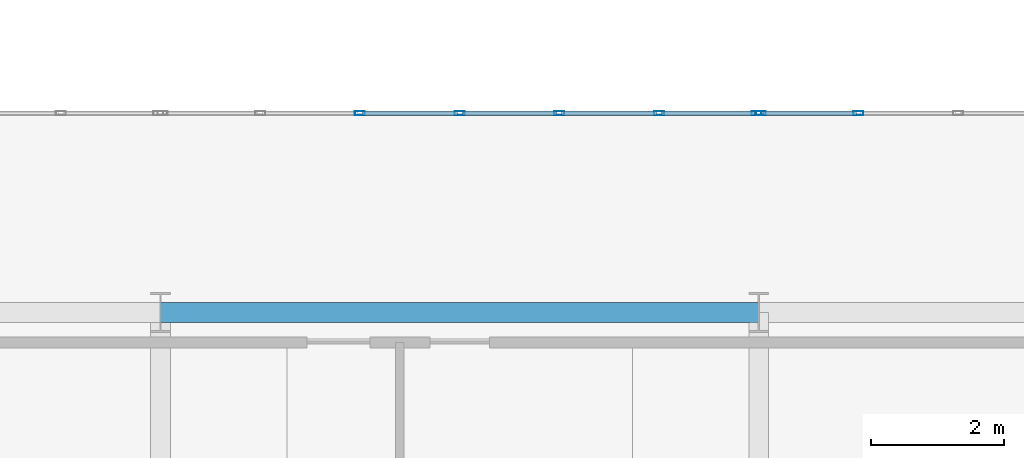
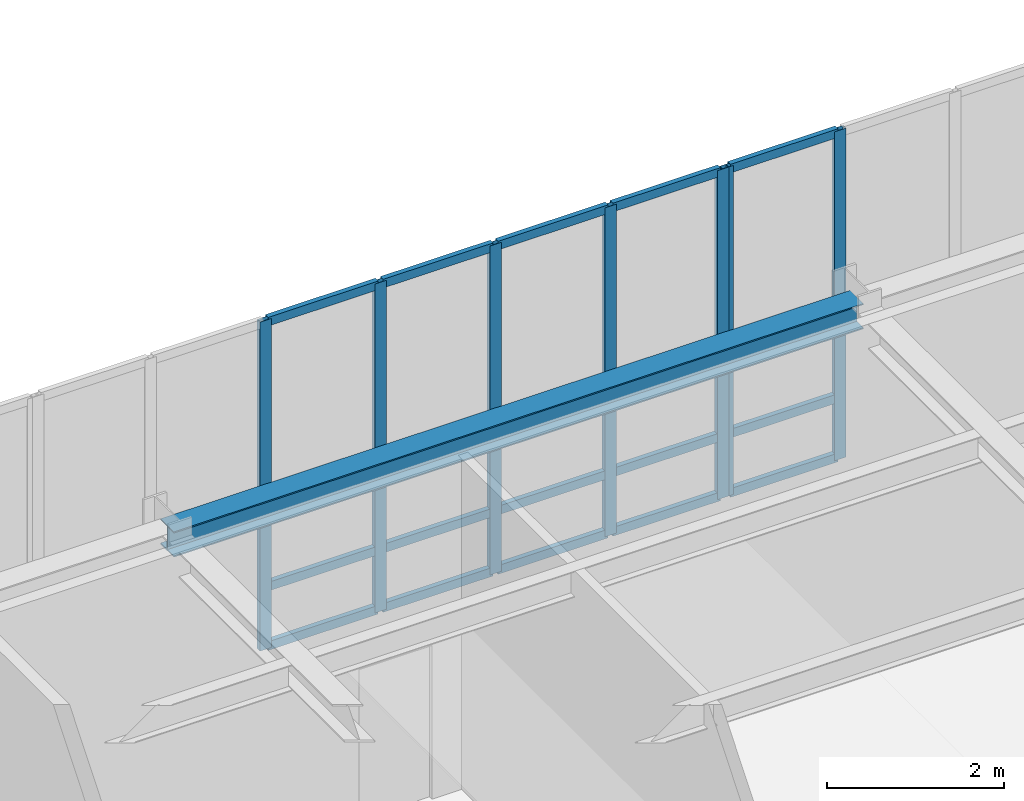
# One storey, part 19 of 92: 22 members, 1 beam, 2 elements without a shape of their own.
"""IFC4 building model written with IfcOpenShell, lengths in metres."""

import ifcopenshell
import ifcopenshell.guid

model = None  # the IFC model being written
_history = None  # IfcOwnerHistory: only IFC2X3 demands one
_inside = {}  # id of a spatial element -> (the spatial element, [elements in it])
_under = {}  # id of a project, library or spatial element -> (it, [spatial elements below it])
_declared = {}  # id of a project -> (the project, [libraries it declares])
_typed = {}  # id of a type object -> (the type object, [elements of that type])
_made_of = {}  # id of a material, layer set ... -> (it, [elements and type objects made of it])


def new_model(schema):
    """Start an empty IFC model of exactly this schema.

    Asked for "IFC4X3", IfcOpenShell would pick the latest addendum, in which some entities
    have other attributes; the version numbers below select the first issue.
    IFC2X3 requires an IfcOwnerHistory on every rooted entity: one is made here for all.
    """
    global model, _history
    if schema == "IFC4X3":
        model = ifcopenshell.file(schema_version=(4, 3, 0, 0))
    else:
        model = ifcopenshell.file(schema=schema)
    _inside.clear()
    _under.clear()
    _declared.clear()
    _typed.clear()
    _made_of.clear()
    _history = None
    if model.schema == "IFC2X3":
        org = make("IfcOrganization", Name="unknown")
        user = make(
            "IfcPersonAndOrganization",
            ThePerson=make("IfcPerson", FamilyName="unknown"),
            TheOrganization=org,
        )
        app = make(
            "IfcApplication",
            ApplicationDeveloper=org,
            Version="unknown",
            ApplicationFullName="unknown",
            ApplicationIdentifier="unknown",
        )
        _history = make(
            "IfcOwnerHistory",
            OwningUser=user,
            OwningApplication=app,
            ChangeAction="ADDED",
            CreationDate=0,
        )
    return model


def make(cls, **values):
    """One entity of the class cls with the attributes given. An attribute that is None is left unset."""
    return model.create_entity(
        cls, **{name: value for name, value in values.items() if value is not None}
    )


def rooted(cls, **values):
    """An entity with a GlobalId (a new one), such as an element, a storey or a relation."""
    return make(cls, GlobalId=ifcopenshell.guid.new(), OwnerHistory=_history, **values)


def si_unit(unit_type, name, prefix=None):
    """IfcSIUnit, for example si_unit("LENGTHUNIT", "METRE", prefix="MILLI")."""
    return make("IfcSIUnit", UnitType=unit_type, Prefix=prefix, Name=name)


def assignment(units):
    """IfcUnitAssignment: the units of a project."""
    return None if units is None else make("IfcUnitAssignment", Units=units)


def point(xyz):
    """IfcCartesianPoint."""
    return None if xyz is None else make("IfcCartesianPoint", Coordinates=xyz)


def direction(xyz):
    """IfcDirection."""
    return None if xyz is None else make("IfcDirection", DirectionRatios=xyz)


def frame(location, z_axis=None, x_axis=None):
    """IfcAxis2Placement3D, a coordinate frame: its origin and axes. An axis left out is left unset."""
    return make(
        "IfcAxis2Placement3D",
        Location=point(location),
        Axis=direction(z_axis),
        RefDirection=direction(x_axis),
    )


def frame_2d(location, x_axis=None):
    """IfcAxis2Placement2D, a coordinate frame in the plane: its origin and x axis."""
    return make(
        "IfcAxis2Placement2D", Location=point(location), RefDirection=direction(x_axis)
    )


def origin():
    """The frame at (0, 0, 0) with its axes left unset."""
    return frame((0.0, 0.0, 0.0))


def origin_2d():
    """The frame at (0, 0) in the plane with its x axis left unset."""
    return frame_2d((0.0, 0.0))


def place(relative_to, where):
    """IfcLocalPlacement: puts the frame where relative to a parent placement (None: the world)."""
    return make(
        "IfcLocalPlacement", PlacementRelTo=relative_to, RelativePlacement=where
    )


def context(
    kind, dimensions, precision=None, world=None, true_north=None, identifier=None
):
    """IfcGeometricRepresentationContext, for example the 3D "Model" context."""
    return make(
        "IfcGeometricRepresentationContext",
        ContextIdentifier=identifier,
        ContextType=kind,
        CoordinateSpaceDimension=dimensions,
        Precision=precision,
        WorldCoordinateSystem=world,
        TrueNorth=true_north,
    )


def subcontext(parent, identifier, kind, view, scale=None):
    """IfcGeometricRepresentationSubContext, for example "Body" below "Model"."""
    return make(
        "IfcGeometricRepresentationSubContext",
        ContextIdentifier=identifier,
        ContextType=kind,
        ParentContext=parent,
        TargetScale=scale,
        TargetView=view,
    )


def project(units=None, contexts=None):
    """IfcProject with its units and contexts."""
    return rooted(
        "IfcProject",
        Name="project",
        RepresentationContexts=contexts,
        UnitsInContext=assignment(units),
    )


def spatial(cls, under=None, at=None, **own):
    """A site, building, storey or space (cls), placed at a placement, below another one or the project."""
    s = rooted(cls, ObjectPlacement=at, **own)
    if under is not None:
        _under.setdefault(under.id(), (under, []))[1].append(s)
    return s


def profile(cls, at=None, kind="AREA", **sizes):
    """A parametric profile (cls). Its sizes go by their IFC names, for example OverallWidth=200.0."""
    return make(cls, ProfileType=kind, Position=at, **sizes)


def hollow_rectangle(**sizes):
    """IfcRectangleHollowProfileDef."""
    return profile("IfcRectangleHollowProfileDef", **sizes)


def i_section(**sizes):
    """IfcIShapeProfileDef."""
    return profile("IfcIShapeProfileDef", **sizes)


def extrude(swept, where, along, depth):
    """IfcExtrudedAreaSolid: the profile swept, set in the frame where, extruded along a direction by depth."""
    return make(
        "IfcExtrudedAreaSolid",
        SweptArea=swept,
        Position=where,
        ExtrudedDirection=direction(along),
        Depth=depth,
    )


def shape(context_of_items, identifier, shape_type, items):
    """IfcShapeRepresentation: the items that make up one representation, for example the "Body"."""
    return make(
        "IfcShapeRepresentation",
        ContextOfItems=context_of_items,
        RepresentationIdentifier=identifier,
        RepresentationType=shape_type,
        Items=items,
    )


def material(Name=None, Category=None):
    """IfcMaterial."""
    return make("IfcMaterial", Name=Name, Category=Category)


def material_profile(
    of_material, cross_section, Name=None, Category=None, Priority=None
):
    """IfcMaterialProfile: a cross section and its material."""
    return make(
        "IfcMaterialProfile",
        Name=Name,
        Material=of_material,
        Profile=cross_section,
        Priority=Priority,
        Category=Category,
    )


def profile_set(profiles, Name=None, composite=None):
    """IfcMaterialProfileSet."""
    return make(
        "IfcMaterialProfileSet",
        Name=Name,
        MaterialProfiles=profiles,
        CompositeProfile=composite,
    )


def made_of(thing, what):
    """Note that an element or type object is made of a material, layer set ...; save() writes the relation."""
    if what is not None:
        _made_of.setdefault(what.id(), (what, []))[1].append(thing)
    return thing


def type_object(cls, material=None, **own):
    """A type object (cls), such as IfcWallType, which elements share."""
    return made_of(rooted(cls, **own), material)


def element(
    cls,
    number,
    at=None,
    inside=None,
    cuts=None,
    type_object=None,
    material=None,
    context=None,
    identifier="Body",
    shape_type=None,
    held_by="IfcProductDefinitionShape",
    body=None,
    shapes=None,
    **own,
):
    """One element of the class cls, such as IfcWall. Its Tag is "e" and its number.

    at: its placement. inside: the storey or other place that contains it. cuts: it is an
    opening in that element (IfcRelVoidsElement). A single representation is given by context,
    identifier, shape_type and body (its items); several are given by shapes. held_by: the class
    of the entity that holds the representations. save() writes the other relations.
    """
    e = rooted(cls, Tag="e%d" % number, ObjectPlacement=at, **own)
    if body is not None:
        shapes = [shape(context, identifier, shape_type, body)]
    if shapes is not None:
        e.Representation = make(held_by, Representations=shapes)
    if inside is not None:
        _inside.setdefault(inside.id(), (inside, []))[1].append(e)
    if cuts is not None:
        rooted(
            "IfcRelVoidsElement", RelatingBuildingElement=cuts, RelatedOpeningElement=e
        )
    if type_object is not None:
        _typed.setdefault(type_object.id(), (type_object, []))[1].append(e)
    return made_of(e, material)


def aggregate(whole, parts):
    """IfcRelAggregates: a whole, such as a stair, and the parts it consists of."""
    return rooted("IfcRelAggregates", RelatingObject=whole, RelatedObjects=parts)


def save(model, path):
    """Write the relations noted so far, then the file.

    IfcRelAggregates (storeys below a building ...), IfcRelContainedInSpatialStructure (elements
    in a storey), IfcRelDefinesByType, IfcRelAssociatesMaterial and IfcRelDeclares: one each for
    every whole, place, type object, material and project.
    """
    for whole, parts in _under.values():
        aggregate(whole, parts)
    for where, things in _inside.values():
        rooted(
            "IfcRelContainedInSpatialStructure",
            RelatedElements=things,
            RelatingStructure=where,
        )
    for kind, things in _typed.values():
        rooted("IfcRelDefinesByType", RelatedObjects=things, RelatingType=kind)
    for what, things in _made_of.values():
        rooted("IfcRelAssociatesMaterial", RelatedObjects=things, RelatingMaterial=what)
    for by, libraries in _declared.values():
        rooted("IfcRelDeclares", RelatingContext=by, RelatedDefinitions=libraries)
    model.write(path)


model = new_model("IFC4")

# Units and contexts
model_context = context("Model", 3, precision=1e-05, world=origin(), true_north=direction((0.0, 1.0)))
body_context = subcontext(model_context, "Body", "Model", "MODEL_VIEW")
ifc_project = project(units=[si_unit("LENGTHUNIT", "METRE"), si_unit("AREAUNIT", "SQUARE_METRE"), si_unit("VOLUMEUNIT", "CUBIC_METRE"), si_unit("PLANEANGLEUNIT", "RADIAN"), si_unit("MASSUNIT", "GRAM", prefix="KILO")], contexts=[model_context])

# Site, building, storey
site_placement = place(None, origin())
site = spatial("IfcSite", under=ifc_project, at=site_placement, CompositionType="ELEMENT")
building_placement = place(site_placement, origin())
building = spatial("IfcBuilding", under=site, at=building_placement, Name="Lykobir Media Centre", CompositionType="ELEMENT")
storey_placement = place(building_placement, frame((0.0, 0.0, 5.39990234375)))
storey = spatial("IfcBuildingStorey", under=building, at=storey_placement, Name="L01", CompositionType="ELEMENT", Elevation=5.39990234375)

# Curtain wall, members
ifc_material_1 = material(Name="Anodized Aluminium AW-6060", Category="aluminium")
curtain_wall_type = type_object("IfcCurtainWallType", Name="CW-COURT-A", PredefinedType="NOTDEFINED", material=ifc_material_1)
curtain_wall_1_placement = place(storey_placement, origin())
curtain_wall_1 = element("IfcCurtainWall", 1, at=curtain_wall_1_placement, inside=storey, type_object=curtain_wall_type, Name="Curtain wall CW2-L01-0045", PredefinedType="NOTDEFINED")
ifc_material_profile_1 = material_profile(ifc_material_1, hollow_rectangle(XDim=0.06494140625, YDim=0.14990234375, WallThickness=0.00341796875, at=origin_2d()), Name="ALU MULLION 65x150")
ifc_profile_set_1 = profile_set([ifc_material_profile_1], Name="Anodized Aluminium AW-6060")
member_type_1 = type_object("IfcMemberType", Name="CWM-150", PredefinedType="MULLION", material=ifc_profile_set_1)
member_1_placement = place(storey_placement, frame((48.0, 21.0, 0.0), z_axis=(0.0, 0.0, 1.0), x_axis=(0.0, 1.0, 0.0)))
member_1 = element("IfcMember", 2, at=member_1_placement, type_object=member_type_1, Name="CW2-L01-0045 mullion 3", PredefinedType="MULLION", context=body_context, shape_type="SweptSolid", body=[
    extrude(hollow_rectangle(XDim=0.06494140625, YDim=0.14990234375, WallThickness=0.00341796875, at=origin_2d()), origin(), (0.0, 0.0, 1.0), 4.5400390625),
])
member_2_placement = place(storey_placement, frame((49.5, 21.0, 0.0), z_axis=(0.0, 0.0, 1.0), x_axis=(0.0, 1.0, 0.0)))
member_2 = element("IfcMember", 3, at=member_2_placement, type_object=member_type_1, Name="CW2-L01-0045 mullion 4", PredefinedType="MULLION", context=body_context, shape_type="SweptSolid", body=[
    extrude(hollow_rectangle(XDim=0.06494140625, YDim=0.14990234375, WallThickness=0.00341796875, at=origin_2d()), origin(), (0.0, 0.0, 1.0), 4.5400390625),
])
member_3_placement = place(storey_placement, frame((51.0, 21.0, 0.0), z_axis=(0.0, 0.0, 1.0), x_axis=(0.0, 1.0, 0.0)))
member_3 = element("IfcMember", 4, at=member_3_placement, type_object=member_type_1, Name="CW2-L01-0045 mullion 5", PredefinedType="MULLION", context=body_context, shape_type="SweptSolid", body=[
    extrude(hollow_rectangle(XDim=0.06494140625, YDim=0.14990234375, WallThickness=0.00341796875, at=origin_2d()), origin(), (0.0, 0.0, 1.0), 4.5400390625),
])
member_4_placement = place(storey_placement, frame((52.5, 21.0, 0.0), z_axis=(0.0, 0.0, 1.0), x_axis=(0.0, 1.0, 0.0)))
member_4 = element("IfcMember", 5, at=member_4_placement, type_object=member_type_1, Name="CW2-L01-0045 mullion 6", PredefinedType="MULLION", context=body_context, shape_type="SweptSolid", body=[
    extrude(hollow_rectangle(XDim=0.06494140625, YDim=0.14990234375, WallThickness=0.00341796875, at=origin_2d()), origin(), (0.0, 0.0, 1.0), 4.5400390625),
])
member_5_placement = place(storey_placement, frame((53.967529296875, 21.0, 0.0), z_axis=(0.0, 0.0, 1.0), x_axis=(0.0, 1.0, 0.0)))
member_5 = element("IfcMember", 6, at=member_5_placement, type_object=member_type_1, Name="CW2-L01-0045 mullion 7", PredefinedType="MULLION", context=body_context, shape_type="SweptSolid", body=[
    extrude(hollow_rectangle(XDim=0.06494140625, YDim=0.14990234375, WallThickness=0.00341796875, at=origin_2d()), origin(), (0.0, 0.0, 1.0), 4.5400390625),
])

curtain_wall_2_placement = place(storey_placement, origin())
curtain_wall_2 = element("IfcCurtainWall", 7, at=curtain_wall_2_placement, inside=storey, type_object=curtain_wall_type, Name="Curtain wall CW2-L01-0046", PredefinedType="NOTDEFINED")
member_6_placement = place(storey_placement, frame((54.032470703125, 21.0, 0.0), z_axis=(0.0, 0.0, 1.0), x_axis=(0.0, 1.0, 0.0)))
member_6 = element("IfcMember", 8, at=member_6_placement, type_object=member_type_1, Name="CW2-L01-0046 mullion 1", PredefinedType="MULLION", context=body_context, shape_type="SweptSolid", body=[
    extrude(hollow_rectangle(XDim=0.06494140625, YDim=0.14990234375, WallThickness=0.00341796875, at=origin_2d()), origin(), (0.0, 0.0, 1.0), 4.5400390625),
])
member_7_placement = place(storey_placement, frame((55.5, 21.0, 0.0), z_axis=(0.0, 0.0, 1.0), x_axis=(0.0, 1.0, 0.0)))
member_7 = element("IfcMember", 9, at=member_7_placement, type_object=member_type_1, Name="CW2-L01-0046 mullion 2", PredefinedType="MULLION", context=body_context, shape_type="SweptSolid", body=[
    extrude(hollow_rectangle(XDim=0.06494140625, YDim=0.14990234375, WallThickness=0.00341796875, at=origin_2d()), origin(), (0.0, 0.0, 1.0), 4.5400390625),
])

# Member
ifc_material_profile_2 = material_profile(ifc_material_1, hollow_rectangle(XDim=0.06494140625, YDim=0.1201171875, WallThickness=0.0029296875, at=origin_2d()), Name="ALU TRANSOM 65x120")
ifc_profile_set_2 = profile_set([ifc_material_profile_2], Name="Anodized Aluminium AW-6060")
member_type_2 = type_object("IfcMemberType", Name="CWT-120", PredefinedType="USERDEFINED", material=ifc_profile_set_2)
member_8_placement = place(storey_placement, frame((48.032470703125, 21.0, 0.03271484375), z_axis=(1.0, 0.0, 0.0), x_axis=(0.0, 1.0, 0.0)))
member_8 = element("IfcMember", 10, at=member_8_placement, type_object=member_type_2, Name="CW2-L01-0045 transom 3.1", ObjectType="TRANSOM", PredefinedType="USERDEFINED", context=body_context, shape_type="SweptSolid", body=[
    extrude(hollow_rectangle(XDim=0.06494140625, YDim=0.1201171875, WallThickness=0.0029296875, at=origin_2d()), origin(), (0.0, 0.0, 1.0), 1.43505859375),
])

member_9_placement = place(storey_placement, frame((48.032470703125, 21.0, 0.85009765625), z_axis=(1.0, 0.0, 0.0), x_axis=(0.0, 1.0, 0.0)))
member_9 = element("IfcMember", 11, at=member_9_placement, type_object=member_type_2, Name="CW2-L01-0045 transom 3.2", ObjectType="TRANSOM", PredefinedType="USERDEFINED", context=body_context, shape_type="SweptSolid", body=[
    extrude(hollow_rectangle(XDim=0.06494140625, YDim=0.1201171875, WallThickness=0.0029296875, at=origin_2d()), origin(), (0.0, 0.0, 1.0), 1.43505859375),
])

member_10_placement = place(storey_placement, frame((48.032470703125, 21.0, 4.507568359375), z_axis=(1.0, 0.0, 0.0), x_axis=(0.0, 1.0, 0.0)))
member_10 = element("IfcMember", 12, at=member_10_placement, type_object=member_type_2, Name="CW2-L01-0045 transom 3.3", ObjectType="TRANSOM", PredefinedType="USERDEFINED", context=body_context, shape_type="SweptSolid", body=[
    extrude(hollow_rectangle(XDim=0.06494140625, YDim=0.1201171875, WallThickness=0.0029296875, at=origin_2d()), origin(), (0.0, 0.0, 1.0), 1.43505859375),
])

member_11_placement = place(storey_placement, frame((49.532470703125, 21.0, 0.03271484375), z_axis=(1.0, 0.0, 0.0), x_axis=(0.0, 1.0, 0.0)))
member_11 = element("IfcMember", 13, at=member_11_placement, type_object=member_type_2, Name="CW2-L01-0045 transom 4.1", ObjectType="TRANSOM", PredefinedType="USERDEFINED", context=body_context, shape_type="SweptSolid", body=[
    extrude(hollow_rectangle(XDim=0.06494140625, YDim=0.1201171875, WallThickness=0.0029296875, at=origin_2d()), origin(), (0.0, 0.0, 1.0), 1.43505859375),
])

member_12_placement = place(storey_placement, frame((49.532470703125, 21.0, 0.85009765625), z_axis=(1.0, 0.0, 0.0), x_axis=(0.0, 1.0, 0.0)))
member_12 = element("IfcMember", 14, at=member_12_placement, type_object=member_type_2, Name="CW2-L01-0045 transom 4.2", ObjectType="TRANSOM", PredefinedType="USERDEFINED", context=body_context, shape_type="SweptSolid", body=[
    extrude(hollow_rectangle(XDim=0.06494140625, YDim=0.1201171875, WallThickness=0.0029296875, at=origin_2d()), origin(), (0.0, 0.0, 1.0), 1.43505859375),
])

member_13_placement = place(storey_placement, frame((49.532470703125, 21.0, 4.507568359375), z_axis=(1.0, 0.0, 0.0), x_axis=(0.0, 1.0, 0.0)))
member_13 = element("IfcMember", 15, at=member_13_placement, type_object=member_type_2, Name="CW2-L01-0045 transom 4.3", ObjectType="TRANSOM", PredefinedType="USERDEFINED", context=body_context, shape_type="SweptSolid", body=[
    extrude(hollow_rectangle(XDim=0.06494140625, YDim=0.1201171875, WallThickness=0.0029296875, at=origin_2d()), origin(), (0.0, 0.0, 1.0), 1.43505859375),
])

member_14_placement = place(storey_placement, frame((51.032470703125, 21.0, 0.03271484375), z_axis=(1.0, 0.0, 0.0), x_axis=(0.0, 1.0, 0.0)))
member_14 = element("IfcMember", 16, at=member_14_placement, type_object=member_type_2, Name="CW2-L01-0045 transom 5.1", ObjectType="TRANSOM", PredefinedType="USERDEFINED", context=body_context, shape_type="SweptSolid", body=[
    extrude(hollow_rectangle(XDim=0.06494140625, YDim=0.1201171875, WallThickness=0.0029296875, at=origin_2d()), origin(), (0.0, 0.0, 1.0), 1.43505859375),
])

member_15_placement = place(storey_placement, frame((51.032470703125, 21.0, 0.85009765625), z_axis=(1.0, 0.0, 0.0), x_axis=(0.0, 1.0, 0.0)))
member_15 = element("IfcMember", 17, at=member_15_placement, type_object=member_type_2, Name="CW2-L01-0045 transom 5.2", ObjectType="TRANSOM", PredefinedType="USERDEFINED", context=body_context, shape_type="SweptSolid", body=[
    extrude(hollow_rectangle(XDim=0.06494140625, YDim=0.1201171875, WallThickness=0.0029296875, at=origin_2d()), origin(), (0.0, 0.0, 1.0), 1.43505859375),
])

member_16_placement = place(storey_placement, frame((51.032470703125, 21.0, 4.507568359375), z_axis=(1.0, 0.0, 0.0), x_axis=(0.0, 1.0, 0.0)))
member_16 = element("IfcMember", 18, at=member_16_placement, type_object=member_type_2, Name="CW2-L01-0045 transom 5.3", ObjectType="TRANSOM", PredefinedType="USERDEFINED", context=body_context, shape_type="SweptSolid", body=[
    extrude(hollow_rectangle(XDim=0.06494140625, YDim=0.1201171875, WallThickness=0.0029296875, at=origin_2d()), origin(), (0.0, 0.0, 1.0), 1.43505859375),
])

member_17_placement = place(storey_placement, frame((52.532470703125, 21.0, 0.03271484375), z_axis=(1.0, 0.0, 0.0), x_axis=(0.0, 1.0, 0.0)))
member_17 = element("IfcMember", 19, at=member_17_placement, type_object=member_type_2, Name="CW2-L01-0045 transom 6.1", ObjectType="TRANSOM", PredefinedType="USERDEFINED", context=body_context, shape_type="SweptSolid", body=[
    extrude(hollow_rectangle(XDim=0.06494140625, YDim=0.1201171875, WallThickness=0.0029296875, at=origin_2d()), origin(), (0.0, 0.0, 1.0), 1.402587890625),
])

member_18_placement = place(storey_placement, frame((52.532470703125, 21.0, 0.85009765625), z_axis=(1.0, 0.0, 0.0), x_axis=(0.0, 1.0, 0.0)))
member_18 = element("IfcMember", 20, at=member_18_placement, type_object=member_type_2, Name="CW2-L01-0045 transom 6.2", ObjectType="TRANSOM", PredefinedType="USERDEFINED", context=body_context, shape_type="SweptSolid", body=[
    extrude(hollow_rectangle(XDim=0.06494140625, YDim=0.1201171875, WallThickness=0.0029296875, at=origin_2d()), origin(), (0.0, 0.0, 1.0), 1.402587890625),
])

member_19_placement = place(storey_placement, frame((52.532470703125, 21.0, 4.507568359375), z_axis=(1.0, 0.0, 0.0), x_axis=(0.0, 1.0, 0.0)))
member_19 = element("IfcMember", 21, at=member_19_placement, type_object=member_type_2, Name="CW2-L01-0045 transom 6.3", ObjectType="TRANSOM", PredefinedType="USERDEFINED", context=body_context, shape_type="SweptSolid", body=[
    extrude(hollow_rectangle(XDim=0.06494140625, YDim=0.1201171875, WallThickness=0.0029296875, at=origin_2d()), origin(), (0.0, 0.0, 1.0), 1.402587890625),
])

aggregate(curtain_wall_1, [member_1, member_2, member_3, member_4, member_5, member_8, member_9, member_10, member_11, member_12, member_13, member_14, member_15, member_16, member_17, member_18, member_19])

member_20_placement = place(storey_placement, frame((54.06494140625, 21.0, 0.03271484375), z_axis=(1.0, 0.0, 0.0), x_axis=(0.0, 1.0, 0.0)))
member_20 = element("IfcMember", 22, at=member_20_placement, type_object=member_type_2, Name="CW2-L01-0046 transom 1.1", ObjectType="TRANSOM", PredefinedType="USERDEFINED", context=body_context, shape_type="SweptSolid", body=[
    extrude(hollow_rectangle(XDim=0.06494140625, YDim=0.1201171875, WallThickness=0.0029296875, at=origin_2d()), origin(), (0.0, 0.0, 1.0), 1.402587890625),
])

member_21_placement = place(storey_placement, frame((54.06494140625, 21.0, 0.85009765625), z_axis=(1.0, 0.0, 0.0), x_axis=(0.0, 1.0, 0.0)))
member_21 = element("IfcMember", 23, at=member_21_placement, type_object=member_type_2, Name="CW2-L01-0046 transom 1.2", ObjectType="TRANSOM", PredefinedType="USERDEFINED", context=body_context, shape_type="SweptSolid", body=[
    extrude(hollow_rectangle(XDim=0.06494140625, YDim=0.1201171875, WallThickness=0.0029296875, at=origin_2d()), origin(), (0.0, 0.0, 1.0), 1.402587890625),
])

member_22_placement = place(storey_placement, frame((54.06494140625, 21.0, 4.507568359375), z_axis=(1.0, 0.0, 0.0), x_axis=(0.0, 1.0, 0.0)))
member_22 = element("IfcMember", 24, at=member_22_placement, type_object=member_type_2, Name="CW2-L01-0046 transom 1.3", ObjectType="TRANSOM", PredefinedType="USERDEFINED", context=body_context, shape_type="SweptSolid", body=[
    extrude(hollow_rectangle(XDim=0.06494140625, YDim=0.1201171875, WallThickness=0.0029296875, at=origin_2d()), origin(), (0.0, 0.0, 1.0), 1.402587890625),
])

aggregate(curtain_wall_2, [member_6, member_7, member_20, member_21, member_22])

# Beam
ifc_material_2 = material(Name="Steel S355", Category="steel")
ifc_material_profile_3 = material_profile(ifc_material_2, i_section(OverallWidth=0.300048828125, OverallDepth=0.35009765625, WebThickness=0.010009765625, FlangeThickness=0.017578125, at=origin_2d()), Name="HEA 360")
ifc_profile_set_3 = profile_set([ifc_material_profile_3], Name="Steel S355")
beam_type = type_object("IfcBeamType", Name="SP-HEA360", PredefinedType="SPANDREL", material=ifc_profile_set_3)
beam_placement = place(storey_placement, frame((45.0, 18.0, 4.385009765625), z_axis=(1.0, 0.0, 0.0), x_axis=(0.0, 1.0, 0.0)))
element("IfcBeam", 25, at=beam_placement, inside=storey, type_object=beam_type, Name="Beam BM-L01-0450-0180-0540-0180-978", PredefinedType="SPANDREL", context=body_context, shape_type="SweptSolid", body=[
    extrude(i_section(OverallWidth=0.300048828125, OverallDepth=0.35009765625, WebThickness=0.010009765625, FlangeThickness=0.017578125, at=origin_2d()), origin(), (0.0, 0.0, 1.0), 9.0),
])

save(model, "model.ifc")
